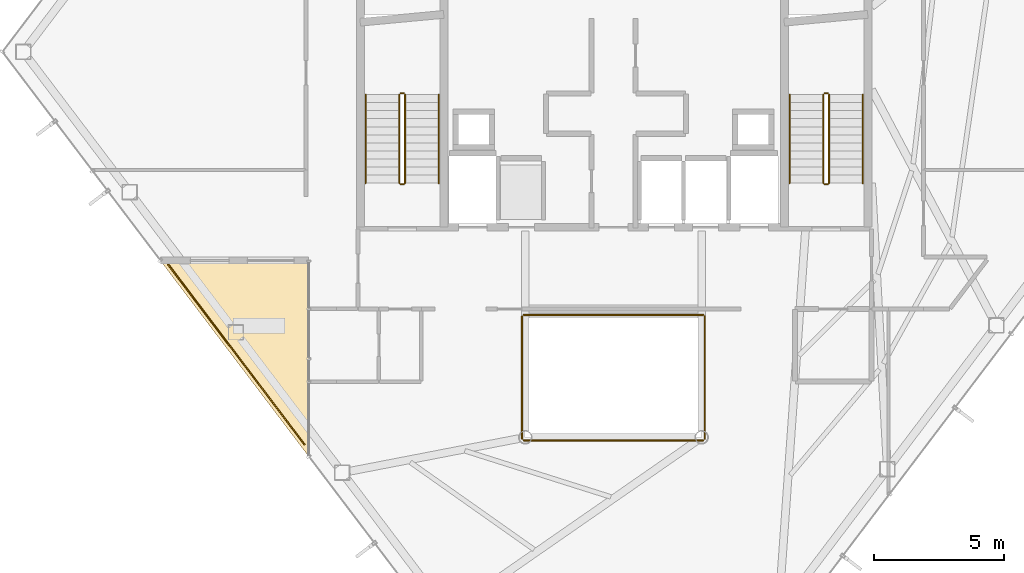
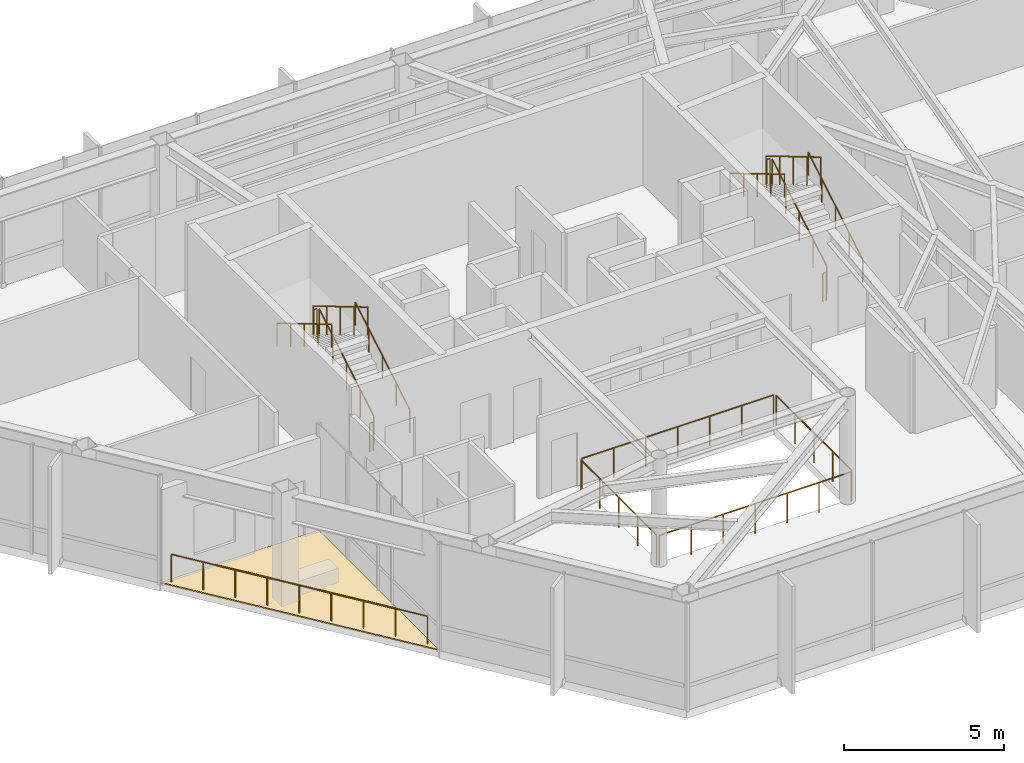
# One storey, part 22 of 23: 17 railings, 1 covering.
"""IFC4 building model written with IfcOpenShell, lengths in metres."""

from ifc_helpers import new_model, si_unit, direction, frame, origin, origin_2d, place, context, subcontext, project, spatial, polyline, circle, outline, extrude, material, layer, layer_set, type_object, element, save


model = new_model("IFC4")

# Units and contexts
model_context = context("Model", 3, precision=1e-05, world=origin(), true_north=direction((0.0, 1.0)))
body_context = subcontext(model_context, "Body", "Model", "MODEL_VIEW")
ifc_project = project(units=[si_unit("LENGTHUNIT", "METRE"), si_unit("AREAUNIT", "SQUARE_METRE"), si_unit("VOLUMEUNIT", "CUBIC_METRE"), si_unit("PLANEANGLEUNIT", "RADIAN"), si_unit("MASSUNIT", "GRAM", prefix="KILO")], contexts=[model_context])

# Site, building, storey
site_placement = place(None, origin())
site = spatial("IfcSite", under=ifc_project, at=site_placement, CompositionType="ELEMENT")
building_placement = place(site_placement, origin())
building = spatial("IfcBuilding", under=site, at=building_placement, Name="Zarrinselat Tower", CompositionType="ELEMENT")
storey_placement = place(building_placement, frame((0.0, 0.0, 199.919921875)))
storey = spatial("IfcBuildingStorey", under=building, at=storey_placement, Name="L49", CompositionType="ELEMENT", Elevation=199.919921875)

# Covering
ifc_material_1 = material(Name="Precast concrete C40/50", Category="concrete")
ifc_layer = layer(ifc_material_1, 0.044921875)
ifc_layer_set = layer_set([ifc_layer], Name="Precast concrete C40/50")
covering_type = type_object("IfcCoveringType", Name="COV-RFG-MB45", PredefinedType="ROOFING", material=ifc_layer_set)
covering_placement = place(storey_placement, origin())
element("IfcCovering", 1, at=covering_placement, inside=storey, type_object=covering_type, Name="L49 Terrace Waterproofing Roofing Deck", PredefinedType="ROOFING", context=body_context, shape_type="SweptSolid", body=[
    extrude(outline(polyline([(20.947265625, 32.0), (26.642578125, 32.0), (26.642578125, 24.48193359375), (20.947265625, 32.0)])), origin(), (0.0, 0.0, 1.0), 0.045166015625),
])

# Railings
ifc_material_2 = material(Name="Double Low-E Laminated Solar Glass", Category="glass")
railing_type_1 = type_object("IfcRailingType", Name="RLG-ATRIUM-BAL", PredefinedType="BALUSTRADE", material=ifc_material_2)
railing_1_placement = place(storey_placement, frame((34.93994140625, 25.080078125, 0.0)))
element("IfcRailing", 2, at=railing_1_placement, inside=storey, type_object=railing_type_1, Name="L49 Atrium Void Glass Balustrade S", PredefinedType="BALUSTRADE", context=body_context, shape_type="SweptSolid", body=[
    extrude(circle(Radius=0.02392578125, at=origin_2d()), frame((0.0, 0.0, 1.1259765625), z_axis=(1.0, 0.0, 0.0), x_axis=(0.0, 1.0, 0.0)), (0.0, 0.0, 1.0), 6.920166015625),
    extrude(circle(Radius=0.02099609375, at=origin_2d()), origin(), (0.0, 0.0, 1.0), 1.099853515625),
    extrude(circle(Radius=0.02099609375, at=origin_2d()), frame((1.1533203125, 0.0, 0.0)), (0.0, 0.0, 1.0), 1.099853515625),
    extrude(circle(Radius=0.02099609375, at=origin_2d()), frame((2.306640625, 0.0, 0.0)), (0.0, 0.0, 1.0), 1.099853515625),
    extrude(circle(Radius=0.02099609375, at=origin_2d()), frame((3.4599609375, 0.0, 0.0)), (0.0, 0.0, 1.0), 1.099853515625),
    extrude(circle(Radius=0.02099609375, at=origin_2d()), frame((4.613525390625, 0.0, 0.0)), (0.0, 0.0, 1.0), 1.099853515625),
    extrude(circle(Radius=0.02099609375, at=origin_2d()), frame((5.766845703125, 0.0, 0.0)), (0.0, 0.0, 1.0), 1.099853515625),
    extrude(circle(Radius=0.02099609375, at=origin_2d()), frame((6.920166015625, 0.0, 0.0)), (0.0, 0.0, 1.0), 1.099853515625),
])
railing_2_placement = place(storey_placement, frame((41.919921875, 25.139892578125, 0.0)))
element("IfcRailing", 3, at=railing_2_placement, inside=storey, type_object=railing_type_1, Name="L49 Atrium Void Glass Balustrade E", PredefinedType="BALUSTRADE", context=body_context, shape_type="SweptSolid", body=[
    extrude(circle(Radius=0.02392578125, at=origin_2d()), frame((0.0, 0.0, 1.1259765625), z_axis=(0.0, 1.0, 0.0), x_axis=(-1.0, 0.0, 0.0)), (0.0, 0.0, 1.0), 4.72021484375),
    extrude(circle(Radius=0.02099609375, at=origin_2d()), origin(), (0.0, 0.0, 1.0), 1.099853515625),
    extrude(circle(Radius=0.02099609375, at=origin_2d()), frame((0.0, 1.18017578125, 0.0)), (0.0, 0.0, 1.0), 1.099853515625),
    extrude(circle(Radius=0.02099609375, at=origin_2d()), frame((0.0, 2.360107421875, 0.0)), (0.0, 0.0, 1.0), 1.099853515625),
    extrude(circle(Radius=0.02099609375, at=origin_2d()), frame((0.0, 3.5400390625, 0.0)), (0.0, 0.0, 1.0), 1.099853515625),
    extrude(circle(Radius=0.02099609375, at=origin_2d()), frame((0.0, 4.72021484375, 0.0)), (0.0, 0.0, 1.0), 1.099853515625),
])
railing_3_placement = place(storey_placement, frame((41.860107421875, 29.919921875, 0.0)))
element("IfcRailing", 4, at=railing_3_placement, inside=storey, type_object=railing_type_1, Name="L49 Atrium Void Glass Balustrade N", PredefinedType="BALUSTRADE", context=body_context, shape_type="SweptSolid", body=[
    extrude(circle(Radius=0.02392578125, at=origin_2d()), frame((0.0, 0.0, 1.1259765625), z_axis=(-1.0, 0.0, 0.0), x_axis=(0.0, -1.0, 0.0)), (0.0, 0.0, 1.0), 6.920166015625),
    extrude(circle(Radius=0.02099609375, at=origin_2d()), origin(), (0.0, 0.0, 1.0), 1.099853515625),
    extrude(circle(Radius=0.02099609375, at=origin_2d()), frame((-1.1533203125, 0.0, 0.0)), (0.0, 0.0, 1.0), 1.099853515625),
    extrude(circle(Radius=0.02099609375, at=origin_2d()), frame((-2.306640625, 0.0, 0.0)), (0.0, 0.0, 1.0), 1.099853515625),
    extrude(circle(Radius=0.02099609375, at=origin_2d()), frame((-3.4599609375, 0.0, 0.0)), (0.0, 0.0, 1.0), 1.099853515625),
    extrude(circle(Radius=0.02099609375, at=origin_2d()), frame((-4.613525390625, 0.0, 0.0)), (0.0, 0.0, 1.0), 1.099853515625),
    extrude(circle(Radius=0.02099609375, at=origin_2d()), frame((-5.766845703125, 0.0, 0.0)), (0.0, 0.0, 1.0), 1.099853515625),
    extrude(circle(Radius=0.02099609375, at=origin_2d()), frame((-6.920166015625, 0.0, 0.0)), (0.0, 0.0, 1.0), 1.099853515625),
])
railing_4_placement = place(storey_placement, frame((34.8798828125, 29.860107421875, 0.0)))
element("IfcRailing", 5, at=railing_4_placement, inside=storey, type_object=railing_type_1, Name="L49 Atrium Void Glass Balustrade W", PredefinedType="BALUSTRADE", context=body_context, shape_type="SweptSolid", body=[
    extrude(circle(Radius=0.02392578125, at=origin_2d()), frame((0.0, 0.0, 1.1259765625), z_axis=(0.0, -1.0, 0.0), x_axis=(1.0, 0.0, 0.0)), (0.0, 0.0, 1.0), 4.72021484375),
    extrude(circle(Radius=0.02099609375, at=origin_2d()), origin(), (0.0, 0.0, 1.0), 1.099853515625),
    extrude(circle(Radius=0.02099609375, at=origin_2d()), frame((0.0, -1.18017578125, 0.0)), (0.0, 0.0, 1.0), 1.099853515625),
    extrude(circle(Radius=0.02099609375, at=origin_2d()), frame((0.0, -2.360107421875, 0.0)), (0.0, 0.0, 1.0), 1.099853515625),
    extrude(circle(Radius=0.02099609375, at=origin_2d()), frame((0.0, -3.5400390625, 0.0)), (0.0, 0.0, 1.0), 1.099853515625),
    extrude(circle(Radius=0.02099609375, at=origin_2d()), frame((0.0, -4.72021484375, 0.0)), (0.0, 0.0, 1.0), 1.099853515625),
])
ifc_material_3 = material(Name="Steel S355J2", Category="steel")
railing_type_2 = type_object("IfcRailingType", Name="RLG-STAIR-GUARD", PredefinedType="GUARDRAIL", material=ifc_material_3)
railing_5_placement = place(storey_placement, frame((30.3701171875, 35.0, 0.184326171875)))
element("IfcRailing", 6, at=railing_5_placement, inside=storey, type_object=railing_type_2, Name="L49 ST-1 stair guard 1", PredefinedType="GUARDRAIL", context=body_context, shape_type="SweptSolid", body=[
    extrude(circle(Radius=0.02392578125, at=origin_2d()), frame((0.0, 0.0, 1.076171875), z_axis=(0.0, 0.859744101735, 0.510725052774), x_axis=(-1.0, 0.0, 0.0)), (0.0, 0.0, 1.0), 3.96630859375),
    extrude(circle(Radius=0.02099609375, at=origin_2d()), origin(), (0.0, 0.0, 1.0), 1.050048828125),
    extrude(circle(Radius=0.02099609375, at=origin_2d()), frame((0.0, 0.8525390625, 0.50634765625)), (0.0, 0.0, 1.0), 1.050048828125),
    extrude(circle(Radius=0.02099609375, at=origin_2d()), frame((0.0, 1.705078125, 1.0126953125)), (0.0, 0.0, 1.0), 1.050048828125),
    extrude(circle(Radius=0.02099609375, at=origin_2d()), frame((0.0, 2.557373046875, 1.519287109375)), (0.0, 0.0, 1.0), 1.050048828125),
    extrude(circle(Radius=0.02099609375, at=origin_2d()), frame((0.0, 3.409912109375, 2.025634765625)), (0.0, 0.0, 1.0), 1.050048828125),
])
railing_6_placement = place(storey_placement, frame((30.320068359375, 38.4599609375, 2.2099609375)))
element("IfcRailing", 7, at=railing_6_placement, inside=storey, type_object=railing_type_2, Name="L49 ST-1 stair guard 2", PredefinedType="GUARDRAIL", context=body_context, shape_type="SweptSolid", body=[
    extrude(circle(Radius=0.02392578125, at=origin_2d()), frame((0.0, 0.0, 1.076171875), z_axis=(-1.0, 0.0, 0.0), x_axis=(0.0, -1.0, 0.0)), (0.0, 0.0, 1.0), 0.1201171875),
    extrude(circle(Radius=0.02099609375, at=origin_2d()), origin(), (0.0, 0.0, 1.0), 1.050048828125),
    extrude(circle(Radius=0.02099609375, at=origin_2d()), frame((-0.1201171875, 0.0, 0.0)), (0.0, 0.0, 1.0), 1.050048828125),
])
railing_7_placement = place(storey_placement, frame((30.14990234375, 38.409912109375, 2.394287109375)))
element("IfcRailing", 8, at=railing_7_placement, inside=storey, type_object=railing_type_2, Name="L49 ST-1 stair guard 3", PredefinedType="GUARDRAIL", context=body_context, shape_type="SweptSolid", body=[
    extrude(circle(Radius=0.02392578125, at=origin_2d()), frame((0.0, 0.0, 1.076171875), z_axis=(0.0, -0.85971707285, 0.510770549904), x_axis=(1.0, 0.0, 0.0)), (0.0, 0.0, 1.0), 3.96630859375),
    extrude(circle(Radius=0.02099609375, at=origin_2d()), origin(), (0.0, 0.0, 1.0), 1.050048828125),
    extrude(circle(Radius=0.02099609375, at=origin_2d()), frame((0.0, -0.8525390625, 0.50634765625)), (0.0, 0.0, 1.0), 1.050048828125),
    extrude(circle(Radius=0.02099609375, at=origin_2d()), frame((0.0, -1.705078125, 1.012939453125)), (0.0, 0.0, 1.0), 1.050048828125),
    extrude(circle(Radius=0.02099609375, at=origin_2d()), frame((0.0, -2.557373046875, 1.51953125)), (0.0, 0.0, 1.0), 1.050048828125),
    extrude(circle(Radius=0.02099609375, at=origin_2d()), frame((0.0, -3.409912109375, 2.02587890625)), (0.0, 0.0, 1.0), 1.050048828125),
])
railing_8_placement = place(storey_placement, frame((30.320068359375, 34.949951171875, 0.0)))
element("IfcRailing", 9, at=railing_8_placement, inside=storey, type_object=railing_type_2, Name="L49 ST-1 stair guard 4", PredefinedType="GUARDRAIL", context=body_context, shape_type="SweptSolid", body=[
    extrude(circle(Radius=0.02392578125, at=origin_2d()), frame((0.0, 0.0, 1.076171875), z_axis=(-1.0, 0.0, 0.0), x_axis=(0.0, -1.0, 0.0)), (0.0, 0.0, 1.0), 0.1201171875),
    extrude(circle(Radius=0.02099609375, at=origin_2d()), origin(), (0.0, 0.0, 1.0), 1.050048828125),
    extrude(circle(Radius=0.02099609375, at=origin_2d()), frame((-0.1201171875, 0.0, 0.0)), (0.0, 0.0, 1.0), 1.050048828125),
])
railing_9_placement = place(storey_placement, frame((46.7099609375, 35.0, 0.184326171875)))
element("IfcRailing", 10, at=railing_9_placement, inside=storey, type_object=railing_type_2, Name="L49 ST-2 stair guard 1", PredefinedType="GUARDRAIL", context=body_context, shape_type="SweptSolid", body=[
    extrude(circle(Radius=0.02392578125, at=origin_2d()), frame((0.0, 0.0, 1.076171875), z_axis=(0.0, 0.859744101735, 0.510725052774), x_axis=(-1.0, 0.0, 0.0)), (0.0, 0.0, 1.0), 3.96630859375),
    extrude(circle(Radius=0.02099609375, at=origin_2d()), origin(), (0.0, 0.0, 1.0), 1.050048828125),
    extrude(circle(Radius=0.02099609375, at=origin_2d()), frame((0.0, 0.8525390625, 0.50634765625)), (0.0, 0.0, 1.0), 1.050048828125),
    extrude(circle(Radius=0.02099609375, at=origin_2d()), frame((0.0, 1.705078125, 1.0126953125)), (0.0, 0.0, 1.0), 1.050048828125),
    extrude(circle(Radius=0.02099609375, at=origin_2d()), frame((0.0, 2.557373046875, 1.519287109375)), (0.0, 0.0, 1.0), 1.050048828125),
    extrude(circle(Radius=0.02099609375, at=origin_2d()), frame((0.0, 3.409912109375, 2.025634765625)), (0.0, 0.0, 1.0), 1.050048828125),
])
railing_10_placement = place(storey_placement, frame((46.659912109375, 38.4599609375, 2.2099609375)))
element("IfcRailing", 11, at=railing_10_placement, inside=storey, type_object=railing_type_2, Name="L49 ST-2 stair guard 2", PredefinedType="GUARDRAIL", context=body_context, shape_type="SweptSolid", body=[
    extrude(circle(Radius=0.02392578125, at=origin_2d()), frame((0.0, 0.0, 1.076171875), z_axis=(-1.0, 0.0, 0.0), x_axis=(0.0, -1.0, 0.0)), (0.0, 0.0, 1.0), 0.119873046875),
    extrude(circle(Radius=0.02099609375, at=origin_2d()), origin(), (0.0, 0.0, 1.0), 1.050048828125),
    extrude(circle(Radius=0.02099609375, at=origin_2d()), frame((-0.119873046875, 0.0, 0.0)), (0.0, 0.0, 1.0), 1.050048828125),
])
railing_11_placement = place(storey_placement, frame((46.489990234375, 38.409912109375, 2.394287109375)))
element("IfcRailing", 12, at=railing_11_placement, inside=storey, type_object=railing_type_2, Name="L49 ST-2 stair guard 3", PredefinedType="GUARDRAIL", context=body_context, shape_type="SweptSolid", body=[
    extrude(circle(Radius=0.02392578125, at=origin_2d()), frame((0.0, 0.0, 1.076171875), z_axis=(0.0, -0.85971707285, 0.510770549904), x_axis=(1.0, 0.0, 0.0)), (0.0, 0.0, 1.0), 3.96630859375),
    extrude(circle(Radius=0.02099609375, at=origin_2d()), origin(), (0.0, 0.0, 1.0), 1.050048828125),
    extrude(circle(Radius=0.02099609375, at=origin_2d()), frame((0.0, -0.8525390625, 0.50634765625)), (0.0, 0.0, 1.0), 1.050048828125),
    extrude(circle(Radius=0.02099609375, at=origin_2d()), frame((0.0, -1.705078125, 1.012939453125)), (0.0, 0.0, 1.0), 1.050048828125),
    extrude(circle(Radius=0.02099609375, at=origin_2d()), frame((0.0, -2.557373046875, 1.51953125)), (0.0, 0.0, 1.0), 1.050048828125),
    extrude(circle(Radius=0.02099609375, at=origin_2d()), frame((0.0, -3.409912109375, 2.02587890625)), (0.0, 0.0, 1.0), 1.050048828125),
])
railing_12_placement = place(storey_placement, frame((46.659912109375, 34.949951171875, 0.0)))
element("IfcRailing", 13, at=railing_12_placement, inside=storey, type_object=railing_type_2, Name="L49 ST-2 stair guard 4", PredefinedType="GUARDRAIL", context=body_context, shape_type="SweptSolid", body=[
    extrude(circle(Radius=0.02392578125, at=origin_2d()), frame((0.0, 0.0, 1.076171875), z_axis=(-1.0, 0.0, 0.0), x_axis=(0.0, -1.0, 0.0)), (0.0, 0.0, 1.0), 0.119873046875),
    extrude(circle(Radius=0.02099609375, at=origin_2d()), origin(), (0.0, 0.0, 1.0), 1.050048828125),
    extrude(circle(Radius=0.02099609375, at=origin_2d()), frame((-0.119873046875, 0.0, 0.0)), (0.0, 0.0, 1.0), 1.050048828125),
])
ifc_material_4 = material(Name="Steel S355J2", Category="steel")
railing_type_3 = type_object("IfcRailingType", Name="RLG-STAIR-HAND", PredefinedType="HANDRAIL", material=ifc_material_4)
railing_13_placement = place(storey_placement, frame((31.669921875, 35.0, 0.184326171875)))
element("IfcRailing", 14, at=railing_13_placement, inside=storey, type_object=railing_type_3, Name="L49 ST-1 stair handrail 1", PredefinedType="HANDRAIL", context=body_context, shape_type="SweptSolid", body=[
    extrude(circle(Radius=0.02392578125, at=origin_2d()), frame((0.0, 0.0, 0.8759765625), z_axis=(0.0, 0.859744101735, 0.510725052774), x_axis=(-1.0, 0.0, 0.0)), (0.0, 0.0, 1.0), 3.96630859375),
    extrude(circle(Radius=0.02099609375, at=origin_2d()), origin(), (0.0, 0.0, 1.0), 0.849853515625),
    extrude(circle(Radius=0.02099609375, at=origin_2d()), frame((0.0, 0.8525390625, 0.50634765625)), (0.0, 0.0, 1.0), 0.849853515625),
    extrude(circle(Radius=0.02099609375, at=origin_2d()), frame((0.0, 1.705078125, 1.0126953125)), (0.0, 0.0, 1.0), 0.849853515625),
    extrude(circle(Radius=0.02099609375, at=origin_2d()), frame((0.0, 2.557373046875, 1.519287109375)), (0.0, 0.0, 1.0), 0.849853515625),
    extrude(circle(Radius=0.02099609375, at=origin_2d()), frame((0.0, 3.409912109375, 2.025634765625)), (0.0, 0.0, 1.0), 0.849853515625),
])
railing_14_placement = place(storey_placement, frame((28.85009765625, 38.409912109375, 2.394287109375)))
element("IfcRailing", 15, at=railing_14_placement, inside=storey, type_object=railing_type_3, Name="L49 ST-1 stair handrail 2", PredefinedType="HANDRAIL", context=body_context, shape_type="SweptSolid", body=[
    extrude(circle(Radius=0.02392578125, at=origin_2d()), frame((0.0, 0.0, 0.8759765625), z_axis=(0.0, -0.85971707285, 0.510770549904), x_axis=(1.0, 0.0, 0.0)), (0.0, 0.0, 1.0), 3.96630859375),
    extrude(circle(Radius=0.02099609375, at=origin_2d()), origin(), (0.0, 0.0, 1.0), 0.849853515625),
    extrude(circle(Radius=0.02099609375, at=origin_2d()), frame((0.0, -0.8525390625, 0.50634765625)), (0.0, 0.0, 1.0), 0.849853515625),
    extrude(circle(Radius=0.02099609375, at=origin_2d()), frame((0.0, -1.705078125, 1.012939453125)), (0.0, 0.0, 1.0), 0.849853515625),
    extrude(circle(Radius=0.02099609375, at=origin_2d()), frame((0.0, -2.557373046875, 1.51953125)), (0.0, 0.0, 1.0), 0.849853515625),
    extrude(circle(Radius=0.02099609375, at=origin_2d()), frame((0.0, -3.409912109375, 2.02587890625)), (0.0, 0.0, 1.0), 0.849853515625),
])
railing_15_placement = place(storey_placement, frame((48.010009765625, 35.0, 0.184326171875)))
element("IfcRailing", 16, at=railing_15_placement, inside=storey, type_object=railing_type_3, Name="L49 ST-2 stair handrail 1", PredefinedType="HANDRAIL", context=body_context, shape_type="SweptSolid", body=[
    extrude(circle(Radius=0.02392578125, at=origin_2d()), frame((0.0, 0.0, 0.8759765625), z_axis=(0.0, 0.859744101735, 0.510725052774), x_axis=(-1.0, 0.0, 0.0)), (0.0, 0.0, 1.0), 3.96630859375),
    extrude(circle(Radius=0.02099609375, at=origin_2d()), origin(), (0.0, 0.0, 1.0), 0.849853515625),
    extrude(circle(Radius=0.02099609375, at=origin_2d()), frame((0.0, 0.8525390625, 0.50634765625)), (0.0, 0.0, 1.0), 0.849853515625),
    extrude(circle(Radius=0.02099609375, at=origin_2d()), frame((0.0, 1.705078125, 1.0126953125)), (0.0, 0.0, 1.0), 0.849853515625),
    extrude(circle(Radius=0.02099609375, at=origin_2d()), frame((0.0, 2.557373046875, 1.519287109375)), (0.0, 0.0, 1.0), 0.849853515625),
    extrude(circle(Radius=0.02099609375, at=origin_2d()), frame((0.0, 3.409912109375, 2.025634765625)), (0.0, 0.0, 1.0), 0.849853515625),
])
railing_16_placement = place(storey_placement, frame((45.18994140625, 38.409912109375, 2.394287109375)))
element("IfcRailing", 17, at=railing_16_placement, inside=storey, type_object=railing_type_3, Name="L49 ST-2 stair handrail 2", PredefinedType="HANDRAIL", context=body_context, shape_type="SweptSolid", body=[
    extrude(circle(Radius=0.02392578125, at=origin_2d()), frame((0.0, 0.0, 0.8759765625), z_axis=(0.0, -0.85971707285, 0.510770549904), x_axis=(1.0, 0.0, 0.0)), (0.0, 0.0, 1.0), 3.96630859375),
    extrude(circle(Radius=0.02099609375, at=origin_2d()), origin(), (0.0, 0.0, 1.0), 0.849853515625),
    extrude(circle(Radius=0.02099609375, at=origin_2d()), frame((0.0, -0.8525390625, 0.50634765625)), (0.0, 0.0, 1.0), 0.849853515625),
    extrude(circle(Radius=0.02099609375, at=origin_2d()), frame((0.0, -1.705078125, 1.012939453125)), (0.0, 0.0, 1.0), 0.849853515625),
    extrude(circle(Radius=0.02099609375, at=origin_2d()), frame((0.0, -2.557373046875, 1.51953125)), (0.0, 0.0, 1.0), 0.849853515625),
    extrude(circle(Radius=0.02099609375, at=origin_2d()), frame((0.0, -3.409912109375, 2.02587890625)), (0.0, 0.0, 1.0), 0.849853515625),
])
ifc_material_5 = material(Name="Steel S355J2", Category="steel")
railing_type_4 = type_object("IfcRailingType", Name="RLG-TERR-GUARD", PredefinedType="GUARDRAIL", material=ifc_material_5)
railing_17_placement = place(storey_placement, frame((26.49267578125, 24.92822265625, 0.0)))
element("IfcRailing", 18, at=railing_17_placement, inside=storey, type_object=railing_type_4, Name="L49 Sky Garden Edge Guardrail 3", PredefinedType="GUARDRAIL", context=body_context, shape_type="SweptSolid", body=[
    extrude(circle(Radius=0.02392578125, at=origin_2d()), frame((0.0, 0.0, 1.09619140625), z_axis=(-0.60384361424, 0.797102809895, 0.0), x_axis=(-0.797102809895, -0.60384361424, 0.0)), (0.0, 0.0, 1.0), 8.683837890625),
    extrude(circle(Radius=0.02099609375, at=origin_2d()), origin(), (0.0, 0.0, 1.0), 1.070068359375),
    extrude(circle(Radius=0.02099609375, at=origin_2d()), frame((-0.655517578125, 0.865234375, 0.0)), (0.0, 0.0, 1.0), 1.070068359375),
    extrude(circle(Radius=0.02099609375, at=origin_2d()), frame((-1.31103515625, 1.73046875, 0.0)), (0.0, 0.0, 1.0), 1.070068359375),
    extrude(circle(Radius=0.02099609375, at=origin_2d()), frame((-1.96630859375, 2.595703125, 0.0)), (0.0, 0.0, 1.0), 1.070068359375),
    extrude(circle(Radius=0.02099609375, at=origin_2d()), frame((-2.621826171875, 3.4609375, 0.0)), (0.0, 0.0, 1.0), 1.070068359375),
    extrude(circle(Radius=0.02099609375, at=origin_2d()), frame((-3.27734375, 4.326171875, 0.0)), (0.0, 0.0, 1.0), 1.070068359375),
    extrude(circle(Radius=0.02099609375, at=origin_2d()), frame((-3.9326171875, 5.19140625, 0.0)), (0.0, 0.0, 1.0), 1.070068359375),
    extrude(circle(Radius=0.02099609375, at=origin_2d()), frame((-4.588134765625, 6.056640625, 0.0)), (0.0, 0.0, 1.0), 1.070068359375),
    extrude(circle(Radius=0.02099609375, at=origin_2d()), frame((-5.24365234375, 6.921875, 0.0)), (0.0, 0.0, 1.0), 1.070068359375),
])

save(model, "model.ifc")
